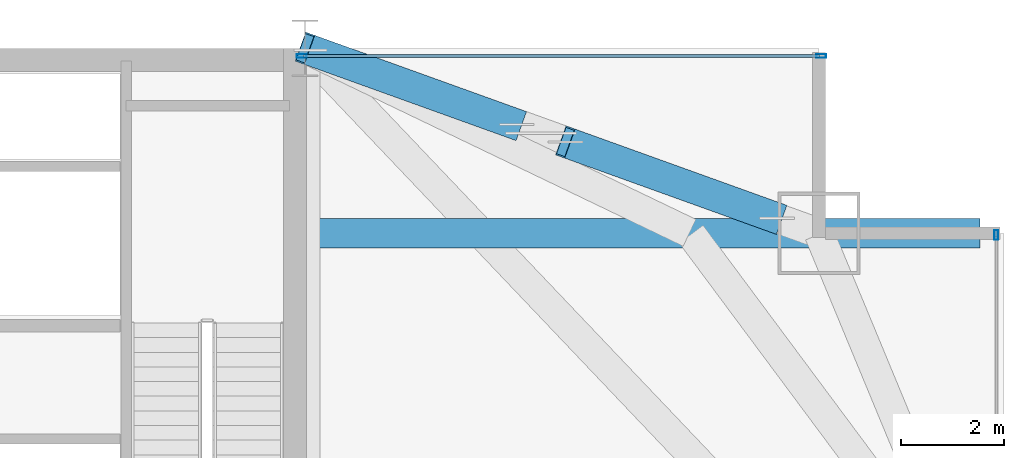
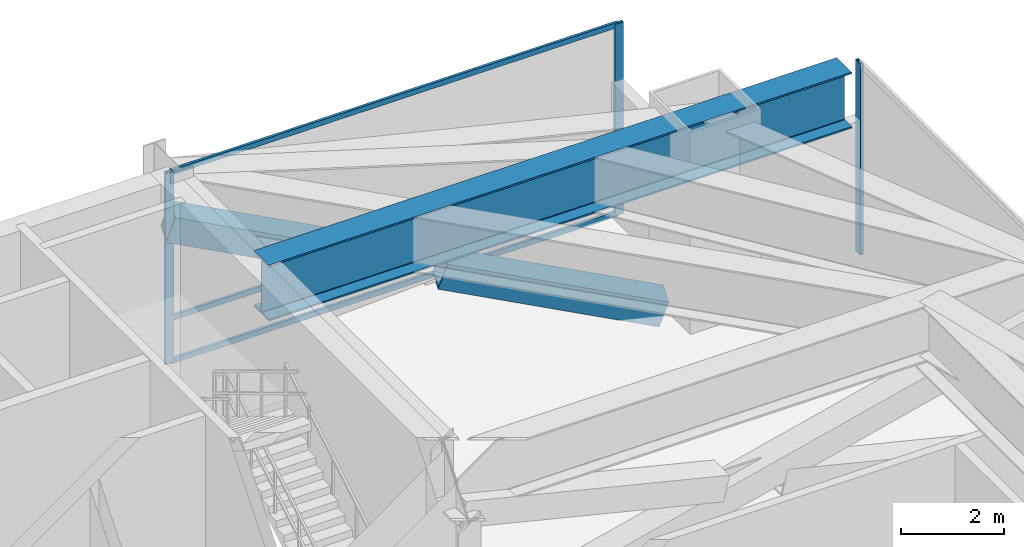
# One storey, part 24 of 30: 8 members, 1 beam, 2 elements without a shape of their own.
"""IFC4 building model written with IfcOpenShell, lengths in metres."""

from ifc_helpers import new_model, si_unit, direction, frame, origin, origin_2d, place, context, subcontext, project, spatial, hollow_rectangle, i_section, extrude, source, transform, mapped, material, layer, layer_set, material_profile, profile_set, type_object, type_shapes, element, aggregate, save


model = new_model("IFC4")

# Units and contexts
model_context = context("Model", 3, precision=1e-05, world=origin(), true_north=direction((0.0, 1.0)))
body_context = subcontext(model_context, "Body", "Model", "MODEL_VIEW")
ifc_project = project(units=[si_unit("LENGTHUNIT", "METRE"), si_unit("AREAUNIT", "SQUARE_METRE"), si_unit("VOLUMEUNIT", "CUBIC_METRE"), si_unit("PLANEANGLEUNIT", "RADIAN"), si_unit("MASSUNIT", "GRAM", prefix="KILO")], contexts=[model_context])

# Site, building, storey
site_placement = place(None, origin())
site = spatial("IfcSite", under=ifc_project, at=site_placement, CompositionType="ELEMENT")
building_placement = place(site_placement, origin())
building = spatial("IfcBuilding", under=site, at=building_placement, Name="Varnel Quay Broadcast Tower", CompositionType="ELEMENT")
storey_placement = place(building_placement, frame((0.0, 0.0, 82.199951171875)))
storey = spatial("IfcBuildingStorey", under=building, at=storey_placement, Name="L19", CompositionType="ELEMENT", Elevation=82.199951171875)

# Beam
ifc_material_1 = material(Name="Structural Steel CSA G40.21 350WT", Category="steel")
ifc_material_profile_1 = material_profile(ifc_material_1, i_section(OverallWidth=0.580078125, OverallDepth=1.330078125, WebThickness=0.02197265625, FlangeThickness=0.0380859375, FilletRadius=0.02001953125, at=origin_2d()), Name="WWF1330X535")
ifc_profile_set_1 = profile_set([ifc_material_profile_1], Name="Structural Steel CSA G40.21 350WT")
beam_type = type_object("IfcBeamType", Name="Girder_WWF1330X535", PredefinedType="BEAM", material=ifc_profile_set_1)
shared_shape_1 = source(origin(), body_context, "Body", "SweptSolid", [
    extrude(i_section(OverallWidth=0.580078125, OverallDepth=1.330078125, WebThickness=0.02197265625, FlangeThickness=0.0380859375, FilletRadius=0.02001953125, at=origin_2d()), origin(), (0.0, 0.0, 1.0), 13.110107421875),
])
type_shapes(beam_type, [shared_shape_1])
beam_placement = place(storey_placement, frame((52.419921875, 43.199951171875, 3.885009765625), z_axis=(1.0, 0.0, 0.0), x_axis=(0.0, 1.0, 0.0)))
element("IfcBeam", 1, at=beam_placement, inside=storey, type_object=beam_type, Name="L19 Setback NE Mega-Column Transfer", PredefinedType="BEAM", context=body_context, shape_type="MappedRepresentation", body=[
    mapped(shared_shape_1, transform((0.0, 0.0, 0.0), x_axis=(1.0, 0.0, 0.0), y_axis=(0.0, 1.0, 0.0), z_axis=(0.0, 0.0, 1.0), scale=1.0)),
])

# Members
ifc_material_profile_2 = material_profile(ifc_material_1, hollow_rectangle(XDim=0.60009765625, YDim=0.60009765625, WallThickness=0.028076171875, at=origin_2d()), Name="BOX600X600X28")
ifc_profile_set_2 = profile_set([ifc_material_profile_2], Name="Structural Steel CSA G40.21 350WT")
member_type_1 = type_object("IfcMemberType", Name="Outrigger_BOX600X600X28", PredefinedType="BRACE", material=ifc_profile_set_2)
shared_shape_2 = source(origin(), body_context, "Body", "SweptSolid", [
    extrude(hollow_rectangle(XDim=0.60009765625, YDim=0.60009765625, WallThickness=0.028076171875, at=origin_2d()), origin(), (0.0, 0.0, 1.0), 4.61083984375),
])
type_shapes(member_type_1, [shared_shape_2])
for number, where, z_axis, x_axis, name in (
    (2, (61.5859375, 43.4931640625, 0.02001953125), (-0.893532398812, 0.321671663572, 0.313252602748), (-0.338719468273, -0.940887411869, 0.0), "L19 Outrigger NE Split Diag B1"),
    (3, (56.52001953125, 45.31689453125, 1.7958984375), (-0.893557891466, 0.321661779489, 0.313190028918), (-0.338701699788, -0.940893808334, 0.0), "L19 Outrigger NE Split Diag B2"),
):
    element("IfcMember", number, at=place(storey_placement, frame(where, z_axis=z_axis, x_axis=x_axis)), inside=storey, type_object=member_type_1, Name=name, PredefinedType="BRACE", context=body_context, shape_type="MappedRepresentation", body=[
        mapped(shared_shape_2, transform((0.0, 0.0, 0.0), x_axis=(1.0, 0.0, 0.0), y_axis=(0.0, 1.0, 0.0), z_axis=(0.0, 0.0, 1.0), scale=1.0)),
    ])

# Curtain wall, member
ifc_material_2 = material(Name="Anodised Bronze Aluminium 6063-T6", Category="aluminium")
ifc_layer_1 = layer(ifc_material_2, 0.18994140625, Name="Anodised Bronze Aluminium 6063-T6")
ifc_layer_set_1 = layer_set([ifc_layer_1], Name="Anodised Bronze Aluminium 6063-T6")
curtain_wall_type_1 = type_object("IfcCurtainWallType", Name="CW_LowerTower", PredefinedType="NOTDEFINED", material=ifc_layer_set_1)
curtain_wall_1_placement = place(storey_placement, origin())
curtain_wall_1 = element("IfcCurtainWall", 4, at=curtain_wall_1_placement, inside=storey, type_object=curtain_wall_type_1, Name="L19 East Unitised Curtain Wall", PredefinedType="NOTDEFINED")
ifc_material_profile_3 = material_profile(ifc_material_2, hollow_rectangle(XDim=0.070068359375, YDim=0.18994140625, WallThickness=0.00390625, at=origin_2d()), Name="ALU70X190X4")
ifc_profile_set_3 = profile_set([ifc_material_profile_3], Name="Anodised Bronze Aluminium 6063-T6")
member_type_2 = type_object("IfcMemberType", Name="Mull_CWS-02", PredefinedType="MULLION", material=ifc_profile_set_3)
shared_shape_3 = source(origin(), body_context, "Body", "SweptSolid", [
    extrude(hollow_rectangle(XDim=0.070068359375, YDim=0.18994140625, WallThickness=0.00390625, at=origin_2d()), origin(), (0.0, 0.0, 1.0), 4.550048828125),
])
type_shapes(member_type_2, [shared_shape_3])
member_1_placement = place(storey_placement, frame((65.85009765625, 43.1650390625, 0.0), z_axis=(0.0, 0.0, 1.0), x_axis=(-1.0, 0.0, 0.0)))
member_1 = element("IfcMember", 5, at=member_1_placement, type_object=member_type_2, Name="CWS-02 mullion 4", PredefinedType="MULLION", context=body_context, shape_type="MappedRepresentation", body=[
    mapped(shared_shape_3, transform((0.0, 0.0, 0.0), x_axis=(1.0, 0.0, 0.0), y_axis=(0.0, 1.0, 0.0), z_axis=(0.0, 0.0, 1.0), scale=1.0)),
])
aggregate(curtain_wall_1, [member_1])

# Curtain wall, members
ifc_layer_2 = layer(ifc_material_2, 0.18994140625, Name="Anodised Bronze Aluminium 6063-T6")
ifc_layer_set_2 = layer_set([ifc_layer_2], Name="Anodised Bronze Aluminium 6063-T6")
curtain_wall_type_2 = type_object("IfcCurtainWallType", Name="CW_CrownScreen", PredefinedType="NOTDEFINED", material=ifc_layer_set_2)
curtain_wall_2_placement = place(storey_placement, origin())
curtain_wall_2 = element("IfcCurtainWall", 6, at=curtain_wall_2_placement, inside=storey, type_object=curtain_wall_type_2, Name="L19 NE Wing Curtain Wall", PredefinedType="NOTDEFINED")
ifc_material_profile_4 = material_profile(ifc_material_2, hollow_rectangle(XDim=0.070068359375, YDim=0.18994140625, WallThickness=0.00390625, at=origin_2d()), Name="ALU70X190X4")
ifc_profile_set_4 = profile_set([ifc_material_profile_4], Name="Anodised Bronze Aluminium 6063-T6")
member_type_3 = type_object("IfcMemberType", Name="Mull_CWS-06", PredefinedType="MULLION", material=ifc_profile_set_4)
shared_shape_4 = source(origin(), body_context, "Body", "SweptSolid", [
    extrude(hollow_rectangle(XDim=0.070068359375, YDim=0.18994140625, WallThickness=0.00390625, at=origin_2d()), origin(), (0.0, 0.0, 1.0), 4.550048828125),
])
type_shapes(member_type_3, [shared_shape_4])
member_2_placement = place(storey_placement, frame((52.3349609375, 46.64990234375, 0.0), z_axis=(0.0, 0.0, 1.0), x_axis=(0.0, 1.0, 0.0)))
member_2 = element("IfcMember", 7, at=member_2_placement, type_object=member_type_3, Name="CWS-06 mullion 1", PredefinedType="MULLION", context=body_context, shape_type="MappedRepresentation", body=[
    mapped(shared_shape_4, transform((0.0, 0.0, 0.0), x_axis=(1.0, 0.0, 0.0), y_axis=(0.0, 1.0, 0.0), z_axis=(0.0, 0.0, 1.0), scale=1.0)),
])
member_3_placement = place(storey_placement, frame((62.445068359375, 46.64990234375, 0.0), z_axis=(0.0, 0.0, 1.0), x_axis=(0.0, 1.0, 0.0)))
member_3 = element("IfcMember", 8, at=member_3_placement, type_object=member_type_3, Name="CWS-06 mullion 2", PredefinedType="MULLION", context=body_context, shape_type="MappedRepresentation", body=[
    mapped(shared_shape_4, transform((0.0, 0.0, 0.0), x_axis=(1.0, 0.0, 0.0), y_axis=(0.0, 1.0, 0.0), z_axis=(0.0, 0.0, 1.0), scale=1.0)),
])
ifc_material_profile_5 = material_profile(ifc_material_2, hollow_rectangle(XDim=0.06005859375, YDim=0.125, WallThickness=0.0029296875, at=origin_2d()), Name="ALU60X125X3")
ifc_profile_set_5 = profile_set([ifc_material_profile_5], Name="Anodised Bronze Aluminium 6063-T6")
member_type_4 = type_object("IfcMemberType", Name="Tran_CWS-06", PredefinedType="USERDEFINED", material=ifc_profile_set_5)
shared_shape_5 = source(origin(), body_context, "Body", "SweptSolid", [
    extrude(hollow_rectangle(XDim=0.06005859375, YDim=0.125, WallThickness=0.0029296875, at=origin_2d()), origin(), (0.0, 0.0, 1.0), 10.039794921875),
])
type_shapes(member_type_4, [shared_shape_5])
member_4_placement = place(storey_placement, frame((52.3701171875, 46.64990234375, 0.030029296875), z_axis=(1.0, 0.0, 0.0), x_axis=(0.0, 1.0, 0.0)))
member_4 = element("IfcMember", 9, at=member_4_placement, type_object=member_type_4, Name="CWS-06 transom 1.1", ObjectType="TRANSOM", PredefinedType="USERDEFINED", context=body_context, shape_type="MappedRepresentation", body=[
    mapped(shared_shape_5, transform((0.0, 0.0, 0.0), x_axis=(1.0, 0.0, 0.0), y_axis=(0.0, 1.0, 0.0), z_axis=(0.0, 0.0, 1.0), scale=1.0)),
])
member_5_placement = place(storey_placement, frame((52.3701171875, 46.64990234375, 1.050048828125), z_axis=(1.0, 0.0, 0.0), x_axis=(0.0, 1.0, 0.0)))
member_5 = element("IfcMember", 10, at=member_5_placement, type_object=member_type_4, Name="CWS-06 transom 1.2", ObjectType="TRANSOM", PredefinedType="USERDEFINED", context=body_context, shape_type="MappedRepresentation", body=[
    mapped(shared_shape_5, transform((0.0, 0.0, 0.0), x_axis=(1.0, 0.0, 0.0), y_axis=(0.0, 1.0, 0.0), z_axis=(0.0, 0.0, 1.0), scale=1.0)),
])
member_6_placement = place(storey_placement, frame((52.3701171875, 46.64990234375, 4.52001953125), z_axis=(1.0, 0.0, 0.0), x_axis=(0.0, 1.0, 0.0)))
member_6 = element("IfcMember", 11, at=member_6_placement, type_object=member_type_4, Name="CWS-06 transom 1.3", ObjectType="TRANSOM", PredefinedType="USERDEFINED", context=body_context, shape_type="MappedRepresentation", body=[
    mapped(shared_shape_5, transform((0.0, 0.0, 0.0), x_axis=(1.0, 0.0, 0.0), y_axis=(0.0, 1.0, 0.0), z_axis=(0.0, 0.0, 1.0), scale=1.0)),
])
aggregate(curtain_wall_2, [member_2, member_3, member_4, member_5, member_6])

save(model, "model.ifc")
